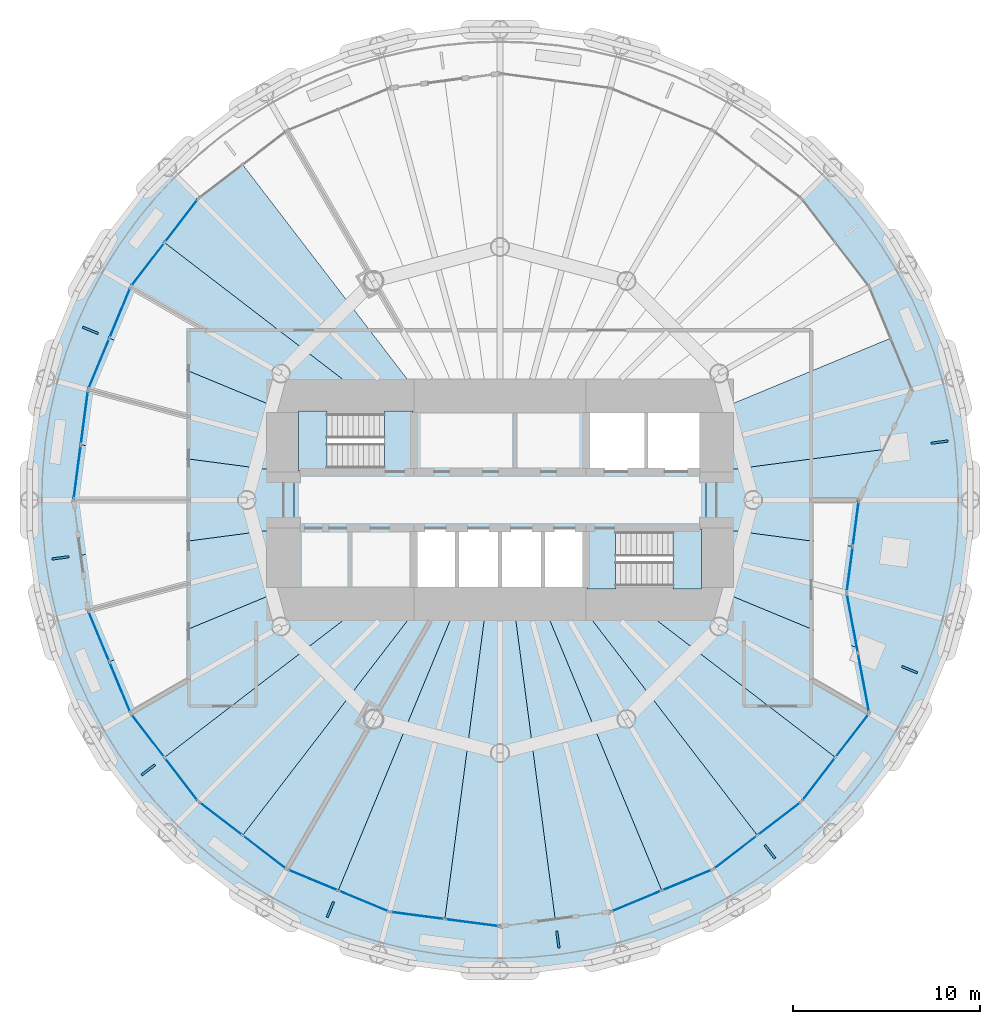
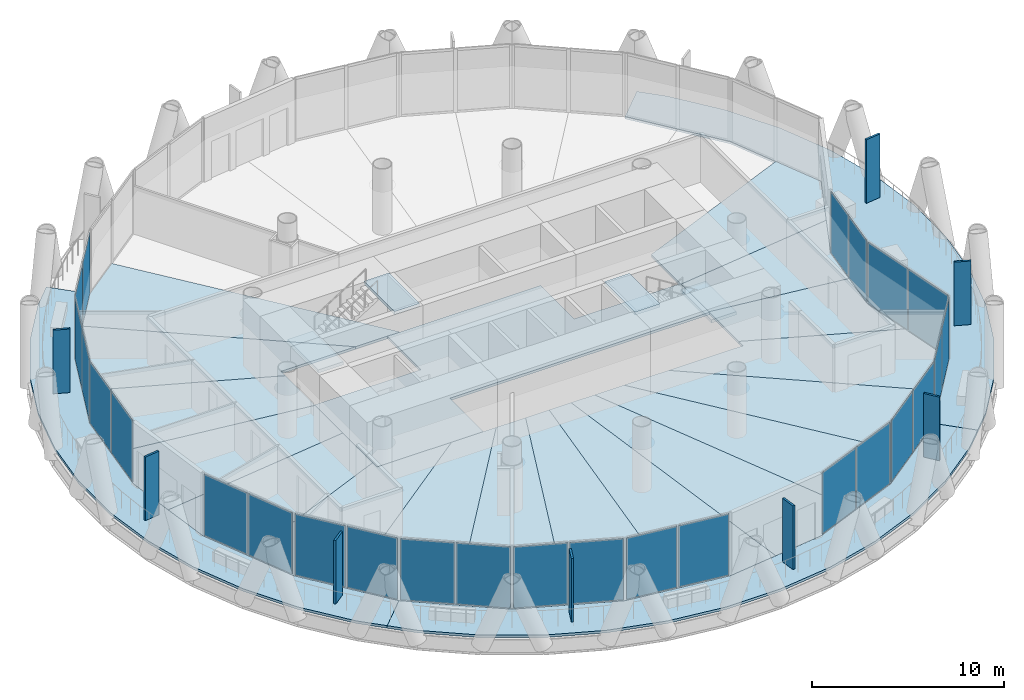
# One storey, part 8 of 15: 34 plates, 25 slabs, 15 elements without a shape of their own.
"""IFC4 building model written with IfcOpenShell, lengths in metres."""

from ifc_helpers import new_model, si_unit, direction, frame, origin, origin_2d, place, context, subcontext, project, spatial, polyline, rectangle, outline, extrude, material, layer, layer_set, type_object, element, aggregate, save


model = new_model("IFC4")

# Units and contexts
model_context = context("Model", 3, precision=1e-05, world=origin(), true_north=direction((0.0, 1.0)))
body_context = subcontext(model_context, "Body", "Model", "MODEL_VIEW")
ifc_project = project(units=[si_unit("LENGTHUNIT", "METRE"), si_unit("AREAUNIT", "SQUARE_METRE"), si_unit("VOLUMEUNIT", "CUBIC_METRE"), si_unit("PLANEANGLEUNIT", "RADIAN"), si_unit("MASSUNIT", "GRAM", prefix="KILO")], contexts=[model_context])

# Site, building, storey
site_placement = place(None, origin())
site = spatial("IfcSite", under=ifc_project, at=site_placement, CompositionType="ELEMENT")
building_placement = place(site_placement, origin())
building = spatial("IfcBuilding", under=site, at=building_placement, Name="Qaws Media Tower", CompositionType="ELEMENT")
storey_placement = place(building_placement, frame((0.0, 0.0, 122.60009765625)))
storey = spatial("IfcBuildingStorey", under=building, at=storey_placement, Name="L27", CompositionType="ELEMENT", Elevation=122.60009765625)

# Slabs
ifc_material_1 = material(Name="Concrete C35/45", Category="concrete")
ifc_layer_1 = layer(ifc_material_1, 0.159912109375)
ifc_layer_set_1 = layer_set([ifc_layer_1], Name="Composite balcony slab 160")
slab_type_1 = type_object("IfcSlabType", Name="Composite balcony slab 160", PredefinedType="FLOOR", material=ifc_layer_set_1)
slab_1_placement = place(storey_placement, frame((0.0, 0.0, -0.16015625)))
element("IfcSlab", 1, at=slab_1_placement, inside=storey, type_object=slab_type_1, Name="S2 balcony slab L27 R10 to R16, movement joints on R10 and R16", PredefinedType="FLOOR", context=body_context, shape_type="SweptSolid", body=[
    extrude(outline(polyline([(41.09130859375, 33.41748046875), (39.08837890625, 36.02734375), (37.443603515625, 38.87646484375), (36.184814453125, 41.915771484375), (35.333251953125, 45.093505859375), (34.90380859375, 48.35498046875), (34.90380859375, 51.64501953125), (35.333251953125, 54.906494140625), (36.184814453125, 58.084228515625), (37.443603515625, 61.12353515625), (39.08837890625, 63.97265625), (41.09130859375, 66.58251953125), (42.25439453125, 67.74560546875), (43.913330078125, 66.086669921875), (40.2978515625, 61.375), (38.025146484375, 55.88818359375), (37.25, 50.0), (38.025146484375, 44.11181640625), (40.2978515625, 38.625), (43.913330078125, 33.913330078125), (42.25439453125, 32.25439453125), (41.09130859375, 33.41748046875)])), origin(), (0.0, 0.0, 1.0), 0.16015625),
])
slab_2_placement = place(storey_placement, frame((0.0, 0.0, -0.16015625)))
element("IfcSlab", 2, at=slab_2_placement, inside=storey, type_object=slab_type_1, Name="S2 balcony slab L27 R16 to R22, movement joints on R16 and R22", PredefinedType="FLOOR", context=body_context, shape_type="SweptSolid", body=[
    extrude(outline(polyline([(76.58251953125, 31.09130859375), (73.97265625, 29.08837890625), (71.12353515625, 27.443603515625), (68.084228515625, 26.184814453125), (64.906494140625, 25.333251953125), (61.64501953125, 24.90380859375), (58.35498046875, 24.90380859375), (55.093505859375, 25.333251953125), (51.915771484375, 26.184814453125), (48.87646484375, 27.443603515625), (46.02734375, 29.08837890625), (43.41748046875, 31.09130859375), (42.25439453125, 32.25439453125), (43.913330078125, 33.913330078125), (48.625, 30.2978515625), (54.11181640625, 28.025146484375), (60.0, 27.25), (65.88818359375, 28.025146484375), (71.375, 30.2978515625), (76.086669921875, 33.913330078125), (77.74560546875, 32.25439453125), (76.58251953125, 31.09130859375)])), origin(), (0.0, 0.0, 1.0), 0.16015625),
])
slab_3_placement = place(storey_placement, frame((0.0, 0.0, -0.16015625)))
element("IfcSlab", 3, at=slab_3_placement, inside=storey, type_object=slab_type_1, Name="S2 balcony slab L27 R22 to R04, movement joints on R22 and R04", PredefinedType="FLOOR", context=body_context, shape_type="SweptSolid", body=[
    extrude(outline(polyline([(84.666748046875, 45.093505859375), (83.815185546875, 41.915771484375), (82.556396484375, 38.87646484375), (80.91162109375, 36.02734375), (78.90869140625, 33.41748046875), (77.74560546875, 32.25439453125), (76.086669921875, 33.913330078125), (79.7021484375, 38.625), (78.49755859375, 45.043701171875), (79.14990234375, 50.0), (81.974853515625, 55.88818359375), (79.7021484375, 61.375), (76.086669921875, 66.086669921875), (77.74560546875, 67.74560546875), (78.90869140625, 66.58251953125), (80.91162109375, 63.97265625), (82.556396484375, 61.12353515625), (83.815185546875, 58.084228515625), (84.666748046875, 54.906494140625), (85.09619140625, 51.64501953125), (85.09619140625, 48.35498046875), (84.666748046875, 45.093505859375)])), origin(), (0.0, 0.0, 1.0), 0.16015625),
])
ifc_material_2 = material(Name="Concrete C35/45", Category="concrete")
ifc_layer_2 = layer(ifc_material_2, 0.159912109375)
ifc_layer_set_2 = layer_set([ifc_layer_2], Name="Composite floor slab 160")
slab_type_2 = type_object("IfcSlabType", Name="Composite floor slab 160", PredefinedType="FLOOR", material=ifc_layer_set_2)
slab_4_placement = place(storey_placement, frame((0.0, 0.0, -0.16015625)))
element("IfcSlab", 4, at=slab_4_placement, inside=storey, type_object=slab_type_2, Name="S1 core floor slab L27", PredefinedType="FLOOR", context=body_context, shape_type="SweptSolid", body=[
    extrude(outline(polyline([(71.0, 51.5), (71.0, 48.5), (55.39990234375, 48.5), (55.39990234375, 45.0), (49.0, 45.0), (49.0, 51.5), (55.39990234375, 51.5), (55.39990234375, 55.0), (64.60009765625, 55.0), (64.60009765625, 51.5), (71.0, 51.5)])), origin(), (0.0, 0.0, 1.0), 0.16015625),
])
slab_5_placement = place(storey_placement, frame((0.0, 0.0, -0.16015625)))
element("IfcSlab", 5, at=slab_5_placement, inside=storey, type_object=slab_type_2, Name="S1 floor panel L27 on R01", PredefinedType="FLOOR", context=body_context, shape_type="SweptSolid", body=[
    extrude(outline(polyline([(79.14990234375, 50.0), (78.82373046875, 47.521728515625), (71.0, 48.5517578125), (71.0, 51.4482421875), (80.441162109375, 52.691162109375), (79.14990234375, 50.0)])), origin(), (0.0, 0.0, 1.0), 0.16015625),
])
slab_6_placement = place(storey_placement, frame((0.0, 0.0, -0.16015625)))
element("IfcSlab", 6, at=slab_6_placement, inside=storey, type_object=slab_type_2, Name="S1 floor panel L27 on R02", PredefinedType="FLOOR", context=body_context, shape_type="SweptSolid", body=[
    extrude(outline(polyline([(81.974853515625, 55.88818359375), (80.441162109375, 52.691162109375), (71.0, 51.4482421875), (71.0, 54.556396484375), (80.83837890625, 58.631591796875), (81.974853515625, 55.88818359375)])), origin(), (0.0, 0.0, 1.0), 0.16015625),
])
slab_7_placement = place(storey_placement, frame((0.0, 0.0, -0.16015625)))
element("IfcSlab", 7, at=slab_7_placement, inside=storey, type_object=slab_type_2, Name="S1 floor panel L27 on R10", PredefinedType="FLOOR", context=body_context, shape_type="SweptSolid", body=[
    extrude(outline(polyline([(43.913330078125, 66.086669921875), (46.269287109375, 67.894287109375), (56.163330078125, 55.0), (53.48388671875, 55.0), (42.105712890625, 63.730712890625), (43.913330078125, 66.086669921875)])), origin(), (0.0, 0.0, 1.0), 0.16015625),
])
slab_8_placement = place(storey_placement, frame((0.0, 0.0, -0.16015625)))
element("IfcSlab", 8, at=slab_8_placement, inside=storey, type_object=slab_type_2, Name="S1 floor panel L27 on R11", PredefinedType="FLOOR", context=body_context, shape_type="SweptSolid", body=[
    extrude(outline(polyline([(40.2978515625, 61.375), (42.105712890625, 63.730712890625), (53.48388671875, 55.0), (49.0, 55.0), (49.0, 54.556396484375), (39.16162109375, 58.631591796875), (40.2978515625, 61.375)])), origin(), (0.0, 0.0, 1.0), 0.16015625),
])
slab_9_placement = place(storey_placement, frame((0.0, 0.0, -0.16015625)))
element("IfcSlab", 9, at=slab_9_placement, inside=storey, type_object=slab_type_2, Name="S1 floor panel L27 on R12", PredefinedType="FLOOR", context=body_context, shape_type="SweptSolid", body=[
    extrude(outline(polyline([(38.025146484375, 55.88818359375), (39.16162109375, 58.631591796875), (49.0, 54.556396484375), (49.0, 51.4482421875), (37.6376953125, 52.944091796875), (38.025146484375, 55.88818359375)])), origin(), (0.0, 0.0, 1.0), 0.16015625),
])
slab_10_placement = place(storey_placement, frame((0.0, 0.0, -0.16015625)))
element("IfcSlab", 10, at=slab_10_placement, inside=storey, type_object=slab_type_2, Name="S1 floor panel L27 on R13", PredefinedType="FLOOR", context=body_context, shape_type="SweptSolid", body=[
    extrude(outline(polyline([(37.25, 50.0), (37.6376953125, 52.944091796875), (49.0, 51.4482421875), (49.0, 48.5517578125), (37.6376953125, 47.055908203125), (37.25, 50.0)])), origin(), (0.0, 0.0, 1.0), 0.16015625),
])
slab_11_placement = place(storey_placement, frame((0.0, 0.0, -0.16015625)))
element("IfcSlab", 11, at=slab_11_placement, inside=storey, type_object=slab_type_2, Name="S1 floor panel L27 on R14", PredefinedType="FLOOR", context=body_context, shape_type="SweptSolid", body=[
    extrude(outline(polyline([(38.025146484375, 44.11181640625), (37.6376953125, 47.055908203125), (49.0, 48.5517578125), (49.0, 45.443603515625), (39.16162109375, 41.368408203125), (38.025146484375, 44.11181640625)])), origin(), (0.0, 0.0, 1.0), 0.16015625),
])
slab_12_placement = place(storey_placement, frame((0.0, 0.0, -0.16015625)))
element("IfcSlab", 12, at=slab_12_placement, inside=storey, type_object=slab_type_2, Name="S1 floor panel L27 on R15", PredefinedType="FLOOR", context=body_context, shape_type="SweptSolid", body=[
    extrude(outline(polyline([(40.2978515625, 38.625), (39.16162109375, 41.368408203125), (49.0, 45.443603515625), (49.0, 45.0), (53.48388671875, 45.0), (42.105712890625, 36.269287109375), (40.2978515625, 38.625)])), origin(), (0.0, 0.0, 1.0), 0.16015625),
])
slab_13_placement = place(storey_placement, frame((0.0, 0.0, -0.16015625)))
element("IfcSlab", 13, at=slab_13_placement, inside=storey, type_object=slab_type_2, Name="S1 floor panel L27 on R16", PredefinedType="FLOOR", context=body_context, shape_type="SweptSolid", body=[
    extrude(outline(polyline([(43.913330078125, 33.913330078125), (42.105712890625, 36.269287109375), (53.48388671875, 45.0), (56.163330078125, 45.0), (46.269287109375, 32.105712890625), (43.913330078125, 33.913330078125)])), origin(), (0.0, 0.0, 1.0), 0.16015625),
])
slab_14_placement = place(storey_placement, frame((0.0, 0.0, -0.16015625)))
element("IfcSlab", 14, at=slab_14_placement, inside=storey, type_object=slab_type_2, Name="S1 floor panel L27 on R17", PredefinedType="FLOOR", context=body_context, shape_type="SweptSolid", body=[
    extrude(outline(polyline([(48.625, 30.2978515625), (46.269287109375, 32.105712890625), (56.163330078125, 45.0), (57.928955078125, 45.0), (51.368408203125, 29.16162109375), (48.625, 30.2978515625)])), origin(), (0.0, 0.0, 1.0), 0.16015625),
])
slab_15_placement = place(storey_placement, frame((0.0, 0.0, -0.16015625)))
element("IfcSlab", 15, at=slab_15_placement, inside=storey, type_object=slab_type_2, Name="S1 floor panel L27 on R18", PredefinedType="FLOOR", context=body_context, shape_type="SweptSolid", body=[
    extrude(outline(polyline([(54.11181640625, 28.025146484375), (51.368408203125, 29.16162109375), (57.928955078125, 45.0), (59.341796875, 45.0), (57.055908203125, 27.6376953125), (54.11181640625, 28.025146484375)])), origin(), (0.0, 0.0, 1.0), 0.16015625),
])
slab_16_placement = place(storey_placement, frame((0.0, 0.0, -0.16015625)))
element("IfcSlab", 16, at=slab_16_placement, inside=storey, type_object=slab_type_2, Name="S1 floor panel L27 on R19", PredefinedType="FLOOR", context=body_context, shape_type="SweptSolid", body=[
    extrude(outline(polyline([(60.0, 27.25), (57.055908203125, 27.6376953125), (59.341796875, 45.0), (60.658203125, 45.0), (62.944091796875, 27.6376953125), (60.0, 27.25)])), origin(), (0.0, 0.0, 1.0), 0.16015625),
])
slab_17_placement = place(storey_placement, frame((0.0, 0.0, -0.16015625)))
element("IfcSlab", 17, at=slab_17_placement, inside=storey, type_object=slab_type_2, Name="S1 floor panel L27 on R20", PredefinedType="FLOOR", context=body_context, shape_type="SweptSolid", body=[
    extrude(outline(polyline([(65.88818359375, 28.025146484375), (62.944091796875, 27.6376953125), (60.658203125, 45.0), (62.071044921875, 45.0), (68.631591796875, 29.16162109375), (65.88818359375, 28.025146484375)])), origin(), (0.0, 0.0, 1.0), 0.16015625),
])
slab_18_placement = place(storey_placement, frame((0.0, 0.0, -0.16015625)))
element("IfcSlab", 18, at=slab_18_placement, inside=storey, type_object=slab_type_2, Name="S1 floor panel L27 on R21", PredefinedType="FLOOR", context=body_context, shape_type="SweptSolid", body=[
    extrude(outline(polyline([(71.375, 30.2978515625), (68.631591796875, 29.16162109375), (62.071044921875, 45.0), (63.836669921875, 45.0), (73.730712890625, 32.105712890625), (71.375, 30.2978515625)])), origin(), (0.0, 0.0, 1.0), 0.16015625),
])
slab_19_placement = place(storey_placement, frame((0.0, 0.0, -0.16015625)))
element("IfcSlab", 19, at=slab_19_placement, inside=storey, type_object=slab_type_2, Name="S1 floor panel L27 on R22", PredefinedType="FLOOR", context=body_context, shape_type="SweptSolid", body=[
    extrude(outline(polyline([(76.086669921875, 33.913330078125), (73.730712890625, 32.105712890625), (63.836669921875, 45.0), (66.51611328125, 45.0), (77.894287109375, 36.269287109375), (76.086669921875, 33.913330078125)])), origin(), (0.0, 0.0, 1.0), 0.16015625),
])
slab_20_placement = place(storey_placement, frame((0.0, 0.0, -0.16015625)))
element("IfcSlab", 20, at=slab_20_placement, inside=storey, type_object=slab_type_2, Name="S1 floor panel L27 on R23", PredefinedType="FLOOR", context=body_context, shape_type="SweptSolid", body=[
    extrude(outline(polyline([(79.7021484375, 38.625), (77.894287109375, 36.269287109375), (66.51611328125, 45.0), (71.0, 45.0), (71.0, 45.443603515625), (79.048095703125, 42.110107421875), (79.7021484375, 38.625)])), origin(), (0.0, 0.0, 1.0), 0.16015625),
])
slab_21_placement = place(storey_placement, frame((0.0, 0.0, -0.16015625)))
element("IfcSlab", 21, at=slab_21_placement, inside=storey, type_object=slab_type_2, Name="S1 floor panel L27 on R24", PredefinedType="FLOOR", context=body_context, shape_type="SweptSolid", body=[
    extrude(outline(polyline([(79.048095703125, 42.110107421875), (71.0, 45.443603515625), (71.0, 48.5517578125), (78.82373046875, 47.521728515625), (78.49755859375, 45.043701171875), (79.048095703125, 42.110107421875)])), origin(), (0.0, 0.0, 1.0), 0.16015625),
])

# Curtain wall, plates
ifc_material_3 = material(Name="Aluminium and clear glass", Category="aluminium")
curtain_wall_type_1 = type_object("IfcCurtainWallType", Name="Unitised curtain wall CW-B", PredefinedType="NOTDEFINED", material=ifc_material_3)
curtain_wall_1_placement = place(storey_placement, origin())
curtain_wall_1 = element("IfcCurtainWall", 22, at=curtain_wall_1_placement, inside=storey, type_object=curtain_wall_type_1, Name="CWB curtain wall L27-10", PredefinedType="NOTDEFINED")
ifc_material_4 = material(Name="Clear laminated double glazing", Category="glass")
ifc_layer_3 = layer(ifc_material_4, 0.031982421875)
ifc_layer_set_3 = layer_set([ifc_layer_3], Name="Curtain wall glass unit 32")
plate_type_1 = type_object("IfcPlateType", Name="Curtain wall glass unit 32", PredefinedType="CURTAIN_PANEL", material=ifc_layer_set_3)
plate_1_placement = place(storey_placement, frame((42.997314453125, 64.892822265625, 0.080078125), z_axis=(0.0, 0.0, 1.0), x_axis=(-0.608761486721, -0.793353296007, 0.0)))
plate_1 = element("IfcPlate", 23, at=plate_1_placement, type_object=plate_type_1, Name="CWB panel 1.1", PredefinedType="CURTAIN_PANEL", context=body_context, shape_type="SweptSolid", body=[
    extrude(rectangle(XDim=2.849365234375, YDim=0.031982421875, at=origin_2d()), origin(), (0.0, 0.0, 1.0), 3.8798828125),
])
plate_2_placement = place(storey_placement, frame((41.2138671875, 62.56884765625, 0.080078125), z_axis=(0.0, 0.0, 1.0), x_axis=(-0.608761486721, -0.793353296007, 0.0)))
plate_2 = element("IfcPlate", 24, at=plate_2_placement, type_object=plate_type_1, Name="CWB panel 2.1", PredefinedType="CURTAIN_PANEL", context=body_context, shape_type="SweptSolid", body=[
    extrude(rectangle(XDim=2.849365234375, YDim=0.031982421875, at=origin_2d()), origin(), (0.0, 0.0, 1.0), 3.8798828125),
])
aggregate(curtain_wall_1, [plate_1, plate_2])

curtain_wall_2_placement = place(storey_placement, origin())
curtain_wall_2 = element("IfcCurtainWall", 25, at=curtain_wall_2_placement, inside=storey, type_object=curtain_wall_type_1, Name="CWB curtain wall L27-11", PredefinedType="NOTDEFINED")
plate_3_placement = place(storey_placement, frame((39.72216796875, 59.98486328125, 0.080078125), z_axis=(0.0, 0.0, 1.0), x_axis=(-0.382683471693, -0.923879516221, 0.0)))
plate_3 = element("IfcPlate", 26, at=plate_3_placement, type_object=plate_type_1, Name="CWB panel 1.1", PredefinedType="CURTAIN_PANEL", context=body_context, shape_type="SweptSolid", body=[
    extrude(rectangle(XDim=2.849365234375, YDim=0.031982421875, at=origin_2d()), origin(), (0.0, 0.0, 1.0), 3.8798828125),
])
plate_4_placement = place(storey_placement, frame((38.60107421875, 57.2783203125, 0.080078125), z_axis=(0.0, 0.0, 1.0), x_axis=(-0.382683471693, -0.923879516221, 0.0)))
plate_4 = element("IfcPlate", 27, at=plate_4_placement, type_object=plate_type_1, Name="CWB panel 2.1", PredefinedType="CURTAIN_PANEL", context=body_context, shape_type="SweptSolid", body=[
    extrude(rectangle(XDim=2.849365234375, YDim=0.031982421875, at=origin_2d()), origin(), (0.0, 0.0, 1.0), 3.8798828125),
])
aggregate(curtain_wall_2, [plate_3, plate_4])

curtain_wall_3_placement = place(storey_placement, origin())
curtain_wall_3 = element("IfcCurtainWall", 28, at=curtain_wall_3_placement, inside=storey, type_object=curtain_wall_type_1, Name="CWB curtain wall L27-12", PredefinedType="NOTDEFINED")
plate_5_placement = place(storey_placement, frame((37.828857421875, 54.396240234375, 0.080078125), z_axis=(0.0, 0.0, 1.0), x_axis=(-0.130526123437, -0.991444870429, 0.0)))
plate_5 = element("IfcPlate", 29, at=plate_5_placement, type_object=plate_type_1, Name="CWB panel 1.1", PredefinedType="CURTAIN_PANEL", context=body_context, shape_type="SweptSolid", body=[
    extrude(rectangle(XDim=2.849365234375, YDim=0.031982421875, at=origin_2d()), origin(), (0.0, 0.0, 1.0), 3.8798828125),
])
plate_6_placement = place(storey_placement, frame((37.4462890625, 51.491943359375, 0.080078125), z_axis=(0.0, 0.0, 1.0), x_axis=(-0.130526123437, -0.991444870429, 0.0)))
plate_6 = element("IfcPlate", 30, at=plate_6_placement, type_object=plate_type_1, Name="CWB panel 2.1", PredefinedType="CURTAIN_PANEL", context=body_context, shape_type="SweptSolid", body=[
    extrude(rectangle(XDim=2.849365234375, YDim=0.031982421875, at=origin_2d()), origin(), (0.0, 0.0, 1.0), 3.8798828125),
])
aggregate(curtain_wall_3, [plate_5, plate_6])

curtain_wall_4_placement = place(storey_placement, origin())
curtain_wall_4 = element("IfcCurtainWall", 31, at=curtain_wall_4_placement, inside=storey, type_object=curtain_wall_type_1, Name="CWB curtain wall L27-14", PredefinedType="NOTDEFINED")
plate_7_placement = place(storey_placement, frame((38.60107421875, 42.7216796875, 0.080078125), z_axis=(0.0, 0.0, 1.0), x_axis=(0.382683471693, -0.923879516221, 0.0)))
plate_7 = element("IfcPlate", 32, at=plate_7_placement, type_object=plate_type_1, Name="CWB panel 1.1", PredefinedType="CURTAIN_PANEL", context=body_context, shape_type="SweptSolid", body=[
    extrude(rectangle(XDim=2.849365234375, YDim=0.031982421875, at=origin_2d()), origin(), (0.0, 0.0, 1.0), 3.8798828125),
])
plate_8_placement = place(storey_placement, frame((39.72216796875, 40.01513671875, 0.080078125), z_axis=(0.0, 0.0, 1.0), x_axis=(0.382683471693, -0.923879516221, 0.0)))
plate_8 = element("IfcPlate", 33, at=plate_8_placement, type_object=plate_type_1, Name="CWB panel 2.1", PredefinedType="CURTAIN_PANEL", context=body_context, shape_type="SweptSolid", body=[
    extrude(rectangle(XDim=2.849365234375, YDim=0.031982421875, at=origin_2d()), origin(), (0.0, 0.0, 1.0), 3.8798828125),
])
aggregate(curtain_wall_4, [plate_7, plate_8])

curtain_wall_5_placement = place(storey_placement, origin())
curtain_wall_5 = element("IfcCurtainWall", 34, at=curtain_wall_5_placement, inside=storey, type_object=curtain_wall_type_1, Name="CWB curtain wall L27-15", PredefinedType="NOTDEFINED")
plate_9_placement = place(storey_placement, frame((41.2138671875, 37.43115234375, 0.080078125), z_axis=(0.0, 0.0, 1.0), x_axis=(0.608761486721, -0.793353296007, 0.0)))
plate_9 = element("IfcPlate", 35, at=plate_9_placement, type_object=plate_type_1, Name="CWB panel 1.1", PredefinedType="CURTAIN_PANEL", context=body_context, shape_type="SweptSolid", body=[
    extrude(rectangle(XDim=2.849365234375, YDim=0.031982421875, at=origin_2d()), origin(), (0.0, 0.0, 1.0), 3.8798828125),
])
plate_10_placement = place(storey_placement, frame((42.997314453125, 35.107177734375, 0.080078125), z_axis=(0.0, 0.0, 1.0), x_axis=(0.608761486721, -0.793353296007, 0.0)))
plate_10 = element("IfcPlate", 36, at=plate_10_placement, type_object=plate_type_1, Name="CWB panel 2.1", PredefinedType="CURTAIN_PANEL", context=body_context, shape_type="SweptSolid", body=[
    extrude(rectangle(XDim=2.849365234375, YDim=0.031982421875, at=origin_2d()), origin(), (0.0, 0.0, 1.0), 3.8798828125),
])
aggregate(curtain_wall_5, [plate_9, plate_10])

curtain_wall_6_placement = place(storey_placement, origin())
curtain_wall_6 = element("IfcCurtainWall", 37, at=curtain_wall_6_placement, inside=storey, type_object=curtain_wall_type_1, Name="CWB curtain wall L27-16", PredefinedType="NOTDEFINED")
plate_11_placement = place(storey_placement, frame((45.107177734375, 32.997314453125, 0.080078125), z_axis=(0.0, 0.0, 1.0), x_axis=(0.793353296007, -0.608761486721, 0.0)))
plate_11 = element("IfcPlate", 38, at=plate_11_placement, type_object=plate_type_1, Name="CWB panel 1.1", PredefinedType="CURTAIN_PANEL", context=body_context, shape_type="SweptSolid", body=[
    extrude(rectangle(XDim=2.849365234375, YDim=0.031982421875, at=origin_2d()), origin(), (0.0, 0.0, 1.0), 3.8798828125),
])
plate_12_placement = place(storey_placement, frame((47.43115234375, 31.2138671875, 0.080078125), z_axis=(0.0, 0.0, 1.0), x_axis=(0.793353296007, -0.608761486721, 0.0)))
plate_12 = element("IfcPlate", 39, at=plate_12_placement, type_object=plate_type_1, Name="CWB panel 2.1", PredefinedType="CURTAIN_PANEL", context=body_context, shape_type="SweptSolid", body=[
    extrude(rectangle(XDim=2.849365234375, YDim=0.031982421875, at=origin_2d()), origin(), (0.0, 0.0, 1.0), 3.8798828125),
])
aggregate(curtain_wall_6, [plate_11, plate_12])

curtain_wall_7_placement = place(storey_placement, origin())
curtain_wall_7 = element("IfcCurtainWall", 40, at=curtain_wall_7_placement, inside=storey, type_object=curtain_wall_type_1, Name="CWB curtain wall L27-17", PredefinedType="NOTDEFINED")
plate_13_placement = place(storey_placement, frame((50.01513671875, 29.72216796875, 0.080078125), z_axis=(0.0, 0.0, 1.0), x_axis=(0.923879516221, -0.382683471693, 0.0)))
plate_13 = element("IfcPlate", 41, at=plate_13_placement, type_object=plate_type_1, Name="CWB panel 1.1", PredefinedType="CURTAIN_PANEL", context=body_context, shape_type="SweptSolid", body=[
    extrude(rectangle(XDim=2.849365234375, YDim=0.031982421875, at=origin_2d()), origin(), (0.0, 0.0, 1.0), 3.8798828125),
])
plate_14_placement = place(storey_placement, frame((52.7216796875, 28.60107421875, 0.080078125), z_axis=(0.0, 0.0, 1.0), x_axis=(0.923879516221, -0.382683471693, 0.0)))
plate_14 = element("IfcPlate", 42, at=plate_14_placement, type_object=plate_type_1, Name="CWB panel 2.1", PredefinedType="CURTAIN_PANEL", context=body_context, shape_type="SweptSolid", body=[
    extrude(rectangle(XDim=2.849365234375, YDim=0.031982421875, at=origin_2d()), origin(), (0.0, 0.0, 1.0), 3.8798828125),
])
aggregate(curtain_wall_7, [plate_13, plate_14])

curtain_wall_8_placement = place(storey_placement, origin())
curtain_wall_8 = element("IfcCurtainWall", 43, at=curtain_wall_8_placement, inside=storey, type_object=curtain_wall_type_1, Name="CWB curtain wall L27-18", PredefinedType="NOTDEFINED")
plate_15_placement = place(storey_placement, frame((55.603759765625, 27.828857421875, 0.080078125), z_axis=(0.0, 0.0, 1.0), x_axis=(0.991444870429, -0.130526123437, 0.0)))
plate_15 = element("IfcPlate", 44, at=plate_15_placement, type_object=plate_type_1, Name="CWB panel 1.1", PredefinedType="CURTAIN_PANEL", context=body_context, shape_type="SweptSolid", body=[
    extrude(rectangle(XDim=2.849365234375, YDim=0.031982421875, at=origin_2d()), origin(), (0.0, 0.0, 1.0), 3.8798828125),
])
plate_16_placement = place(storey_placement, frame((58.508056640625, 27.4462890625, 0.080078125), z_axis=(0.0, 0.0, 1.0), x_axis=(0.991444870429, -0.130526123437, 0.0)))
plate_16 = element("IfcPlate", 45, at=plate_16_placement, type_object=plate_type_1, Name="CWB panel 2.1", PredefinedType="CURTAIN_PANEL", context=body_context, shape_type="SweptSolid", body=[
    extrude(rectangle(XDim=2.849365234375, YDim=0.031982421875, at=origin_2d()), origin(), (0.0, 0.0, 1.0), 3.8798828125),
])
aggregate(curtain_wall_8, [plate_15, plate_16])

curtain_wall_9_placement = place(storey_placement, origin())
curtain_wall_9 = element("IfcCurtainWall", 46, at=curtain_wall_9_placement, inside=storey, type_object=curtain_wall_type_1, Name="CWB curtain wall L27-20", PredefinedType="NOTDEFINED")
plate_17_placement = place(storey_placement, frame((67.2783203125, 28.60107421875, 0.080078125), z_axis=(0.0, 0.0, 1.0), x_axis=(0.923879516221, 0.382683471693, 0.0)))
plate_17 = element("IfcPlate", 47, at=plate_17_placement, type_object=plate_type_1, Name="CWB panel 1.1", PredefinedType="CURTAIN_PANEL", context=body_context, shape_type="SweptSolid", body=[
    extrude(rectangle(XDim=2.849365234375, YDim=0.031982421875, at=origin_2d()), origin(), (0.0, 0.0, 1.0), 3.8798828125),
])
plate_18_placement = place(storey_placement, frame((69.98486328125, 29.72216796875, 0.080078125), z_axis=(0.0, 0.0, 1.0), x_axis=(0.923879516221, 0.382683471693, 0.0)))
plate_18 = element("IfcPlate", 48, at=plate_18_placement, type_object=plate_type_1, Name="CWB panel 2.1", PredefinedType="CURTAIN_PANEL", context=body_context, shape_type="SweptSolid", body=[
    extrude(rectangle(XDim=2.849365234375, YDim=0.031982421875, at=origin_2d()), origin(), (0.0, 0.0, 1.0), 3.8798828125),
])
aggregate(curtain_wall_9, [plate_17, plate_18])

curtain_wall_10_placement = place(storey_placement, origin())
curtain_wall_10 = element("IfcCurtainWall", 49, at=curtain_wall_10_placement, inside=storey, type_object=curtain_wall_type_1, Name="CWB curtain wall L27-21", PredefinedType="NOTDEFINED")
plate_19_placement = place(storey_placement, frame((72.56884765625, 31.2138671875, 0.080078125), z_axis=(0.0, 0.0, 1.0), x_axis=(0.793353296007, 0.608761486721, 0.0)))
plate_19 = element("IfcPlate", 50, at=plate_19_placement, type_object=plate_type_1, Name="CWB panel 1.1", PredefinedType="CURTAIN_PANEL", context=body_context, shape_type="SweptSolid", body=[
    extrude(rectangle(XDim=2.849365234375, YDim=0.031982421875, at=origin_2d()), origin(), (0.0, 0.0, 1.0), 3.8798828125),
])
plate_20_placement = place(storey_placement, frame((74.892822265625, 32.997314453125, 0.080078125), z_axis=(0.0, 0.0, 1.0), x_axis=(0.793353296007, 0.608761486721, 0.0)))
plate_20 = element("IfcPlate", 51, at=plate_20_placement, type_object=plate_type_1, Name="CWB panel 2.1", PredefinedType="CURTAIN_PANEL", context=body_context, shape_type="SweptSolid", body=[
    extrude(rectangle(XDim=2.849365234375, YDim=0.031982421875, at=origin_2d()), origin(), (0.0, 0.0, 1.0), 3.8798828125),
])
aggregate(curtain_wall_10, [plate_19, plate_20])

curtain_wall_11_placement = place(storey_placement, origin())
curtain_wall_11 = element("IfcCurtainWall", 52, at=curtain_wall_11_placement, inside=storey, type_object=curtain_wall_type_1, Name="CWB curtain wall L27-22", PredefinedType="NOTDEFINED")
plate_21_placement = place(storey_placement, frame((77.002685546875, 35.107177734375, 0.080078125), z_axis=(0.0, 0.0, 1.0), x_axis=(0.608761486721, 0.793353296007, 0.0)))
plate_21 = element("IfcPlate", 53, at=plate_21_placement, type_object=plate_type_1, Name="CWB panel 1.1", PredefinedType="CURTAIN_PANEL", context=body_context, shape_type="SweptSolid", body=[
    extrude(rectangle(XDim=2.849365234375, YDim=0.031982421875, at=origin_2d()), origin(), (0.0, 0.0, 1.0), 3.8798828125),
])
plate_22_placement = place(storey_placement, frame((78.7861328125, 37.43115234375, 0.080078125), z_axis=(0.0, 0.0, 1.0), x_axis=(0.608761486721, 0.793353296007, 0.0)))
plate_22 = element("IfcPlate", 54, at=plate_22_placement, type_object=plate_type_1, Name="CWB panel 2.1", PredefinedType="CURTAIN_PANEL", context=body_context, shape_type="SweptSolid", body=[
    extrude(rectangle(XDim=2.849365234375, YDim=0.031982421875, at=origin_2d()), origin(), (0.0, 0.0, 1.0), 3.8798828125),
])
aggregate(curtain_wall_11, [plate_21, plate_22])

ifc_material_5 = material(Name="Aluminium and clear glass", Category="aluminium")
curtain_wall_type_2 = type_object("IfcCurtainWallType", Name="Loggia curtain wall CW-G", PredefinedType="NOTDEFINED", material=ifc_material_5)
curtain_wall_12_placement = place(storey_placement, origin())
curtain_wall_12 = element("IfcCurtainWall", 55, at=curtain_wall_12_placement, inside=storey, type_object=curtain_wall_type_2, Name="CWG curtain wall L27-23", PredefinedType="NOTDEFINED")
plate_23_placement = place(storey_placement, frame((79.397216796875, 40.249267578125, 0.080078125), z_axis=(0.0, 0.0, 1.0), x_axis=(-0.184452385146, 0.982841450903, 0.0)))
plate_23 = element("IfcPlate", 56, at=plate_23_placement, type_object=plate_type_1, Name="CWG panel 1.1", PredefinedType="CURTAIN_PANEL", context=body_context, shape_type="SweptSolid", body=[
    extrude(rectangle(XDim=3.145263671875, YDim=0.031982421875, at=origin_2d()), origin(), (0.0, 0.0, 1.0), 3.8798828125),
])
plate_24_placement = place(storey_placement, frame((78.80224609375, 43.419189453125, 0.080078125), z_axis=(0.0, 0.0, 1.0), x_axis=(-0.184452385146, 0.982841450903, 0.0)))
plate_24 = element("IfcPlate", 57, at=plate_24_placement, type_object=plate_type_1, Name="CWG panel 2.1", PredefinedType="CURTAIN_PANEL", context=body_context, shape_type="SweptSolid", body=[
    extrude(rectangle(XDim=3.145263671875, YDim=0.031982421875, at=origin_2d()), origin(), (0.0, 0.0, 1.0), 3.8798828125),
])
aggregate(curtain_wall_12, [plate_23, plate_24])

curtain_wall_13_placement = place(storey_placement, origin())
curtain_wall_13 = element("IfcCurtainWall", 58, at=curtain_wall_13_placement, inside=storey, type_object=curtain_wall_type_2, Name="CWG curtain wall L27-24", PredefinedType="NOTDEFINED")
plate_25_placement = place(storey_placement, frame((78.663330078125, 46.302490234375, 0.080078125), z_axis=(0.0, 0.0, 1.0), x_axis=(0.130526100942, 0.991444873391, 0.0)))
plate_25 = element("IfcPlate", 59, at=plate_25_placement, type_object=plate_type_1, Name="CWG panel 1.1", PredefinedType="CURTAIN_PANEL", context=body_context, shape_type="SweptSolid", body=[
    extrude(rectangle(XDim=2.379638671875, YDim=0.031982421875, at=origin_2d()), origin(), (0.0, 0.0, 1.0), 3.8798828125),
])
plate_26_placement = place(storey_placement, frame((78.984375, 48.740966796875, 0.080078125), z_axis=(0.0, 0.0, 1.0), x_axis=(0.130526100942, 0.991444873391, 0.0)))
plate_26 = element("IfcPlate", 60, at=plate_26_placement, type_object=plate_type_1, Name="CWG panel 2.1", PredefinedType="CURTAIN_PANEL", context=body_context, shape_type="SweptSolid", body=[
    extrude(rectangle(XDim=2.379638671875, YDim=0.031982421875, at=origin_2d()), origin(), (0.0, 0.0, 1.0), 3.8798828125),
])
aggregate(curtain_wall_13, [plate_25, plate_26])

# Plates
ifc_material_6 = material(Name="Precast concrete screen fin", Category="concrete")
ifc_layer_4 = layer(ifc_material_6, 0.1201171875)
ifc_layer_set_4 = layer_set([ifc_layer_4], Name="Screen fin 120x900")
plate_type_2 = type_object("IfcPlateType", Name="Screen fin 120x900", PredefinedType="USERDEFINED", material=ifc_layer_set_4)
for number, where, z_axis, x_axis, name in (
    (61, (83.44775390625, 53.0869140625, 0.0), (0.0, 0.0, 1.0), (0.991444861374, 0.13052619222, 0.0), "SCR1 screen fin L27-01"),
    (62, (38.150146484375, 59.050537109375, 0.0), (0.0, 0.0, 1.0), (-0.923879532511, 0.382683432365, 0.0), "SCR1 screen fin L27-06"),
    (63, (36.55224609375, 46.9130859375, 0.0), (0.0, 0.0, 1.0), (-0.991444861374, -0.13052619222, 0.0), "SCR1 screen fin L27-07"),
    (64, (41.2373046875, 35.602783203125, 0.0), (0.0, 0.0, 1.0), (-0.793353340291, -0.608761429009, 0.0), "SCR1 screen fin L27-08"),
    (65, (50.949462890625, 28.150146484375, 0.0), (0.0, 0.0, 1.0), (-0.382683432365, -0.923879532511, 0.0), "SCR1 screen fin L27-09"),
    (66, (63.0869140625, 26.55224609375, 0.0), (0.0, 0.0, 1.0), (0.13052619222, -0.991444861374, 0.0), "SCR1 screen fin L27-10"),
    (67, (74.397216796875, 31.2373046875, 0.0), (0.0, 0.0, 1.0), (0.608761429009, -0.793353340291, 0.0), "SCR1 screen fin L27-11"),
    (68, (81.849853515625, 40.949462890625, 0.0), (0.0, 0.0, 1.0), (0.923879532511, -0.382683432365, 0.0), "SCR1 screen fin L27-12"),
):
    element("IfcPlate", number, at=place(storey_placement, frame(where, z_axis=z_axis, x_axis=x_axis)), inside=storey, type_object=plate_type_2, Name=name, ObjectType="SCREEN", PredefinedType="USERDEFINED", context=body_context, shape_type="SweptSolid", body=[
        extrude(rectangle(XDim=0.89990234375, YDim=0.1201171875, at=origin_2d()), origin(), (0.0, 0.0, 1.0), 4.0400390625),
    ])

# Stair, slabs
ifc_material_7 = material(Name="Concrete C40/50", Category="concrete")
stair_type = type_object("IfcStairType", Name="Exit stair", PredefinedType="HALF_TURN_STAIR", material=ifc_material_7)
stair_1_placement = place(storey_placement, origin())
stair_1 = element("IfcStair", 69, at=stair_1_placement, inside=storey, type_object=stair_type, Name="S1 exit stair L27", PredefinedType="HALF_TURN_STAIR")
ifc_material_8 = material(Name="Concrete C40/50", Category="concrete")
ifc_layer_5 = layer(ifc_material_8, 0.199951171875)
ifc_layer_set_5 = layer_set([ifc_layer_5], Name="Stair landing 200")
slab_type_3 = type_object("IfcSlabType", Name="Stair landing 200", PredefinedType="LANDING", material=ifc_layer_set_5)
slab_22_placement = place(storey_placement, frame((0.0, 0.0, 1.89990234375)))
slab_22 = element("IfcSlab", 70, at=slab_22_placement, type_object=slab_type_3, Name="S1 landing 1", PredefinedType="LANDING", context=body_context, shape_type="SweptSolid", body=[
    extrude(outline(polyline([(49.25, 51.550048828125), (50.760009765625, 51.550048828125), (50.760009765625, 54.75), (49.25, 54.75), (49.25, 51.550048828125)])), origin(), (0.0, 0.0, 1.0), 0.199951171875),
])
slab_23_placement = place(storey_placement, frame((0.0, 0.0, 4.0)))
slab_23 = element("IfcSlab", 71, at=slab_23_placement, type_object=slab_type_3, Name="S1 landing 2", PredefinedType="LANDING", context=body_context, shape_type="SweptSolid", body=[
    extrude(outline(polyline([(53.840087890625, 51.550048828125), (55.35009765625, 51.550048828125), (55.35009765625, 54.75), (53.840087890625, 54.75), (53.840087890625, 51.550048828125)])), origin(), (0.0, 0.0, 1.0), 0.199951171875),
])
aggregate(stair_1, [slab_22, slab_23])

stair_2_placement = place(storey_placement, origin())
stair_2 = element("IfcStair", 72, at=stair_2_placement, inside=storey, type_object=stair_type, Name="S2 exit stair L27", PredefinedType="HALF_TURN_STAIR")
slab_24_placement = place(storey_placement, frame((0.0, 0.0, 1.89990234375)))
slab_24 = element("IfcSlab", 73, at=slab_24_placement, type_object=slab_type_3, Name="S2 landing 1", PredefinedType="LANDING", context=body_context, shape_type="SweptSolid", body=[
    extrude(outline(polyline([(69.239990234375, 45.25), (70.75, 45.25), (70.75, 48.449951171875), (69.239990234375, 48.449951171875), (69.239990234375, 45.25)])), origin(), (0.0, 0.0, 1.0), 0.199951171875),
])
slab_25_placement = place(storey_placement, frame((0.0, 0.0, 4.0)))
slab_25 = element("IfcSlab", 74, at=slab_25_placement, type_object=slab_type_3, Name="S2 landing 2", PredefinedType="LANDING", context=body_context, shape_type="SweptSolid", body=[
    extrude(outline(polyline([(64.64990234375, 45.25), (66.159912109375, 45.25), (66.159912109375, 48.449951171875), (64.64990234375, 48.449951171875), (64.64990234375, 45.25)])), origin(), (0.0, 0.0, 1.0), 0.199951171875),
])
aggregate(stair_2, [slab_24, slab_25])

save(model, "model.ifc")
